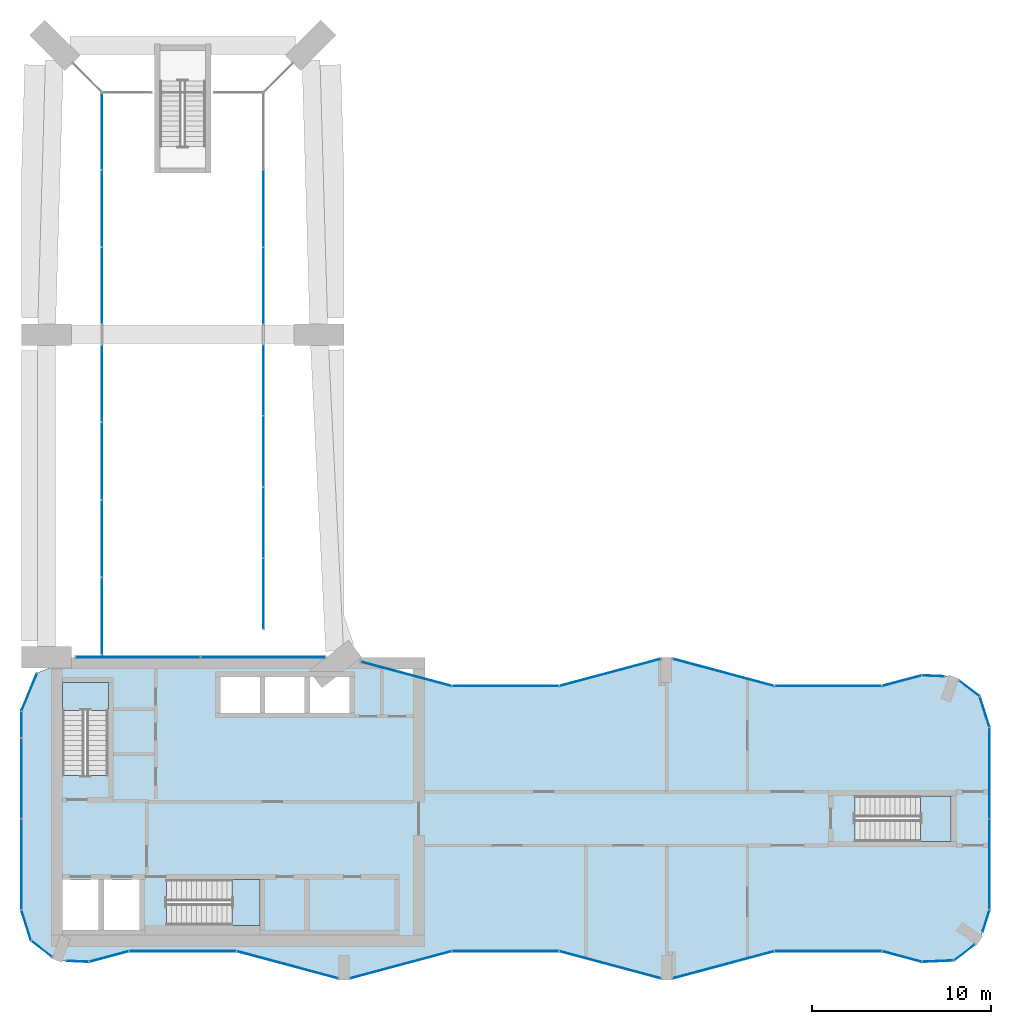
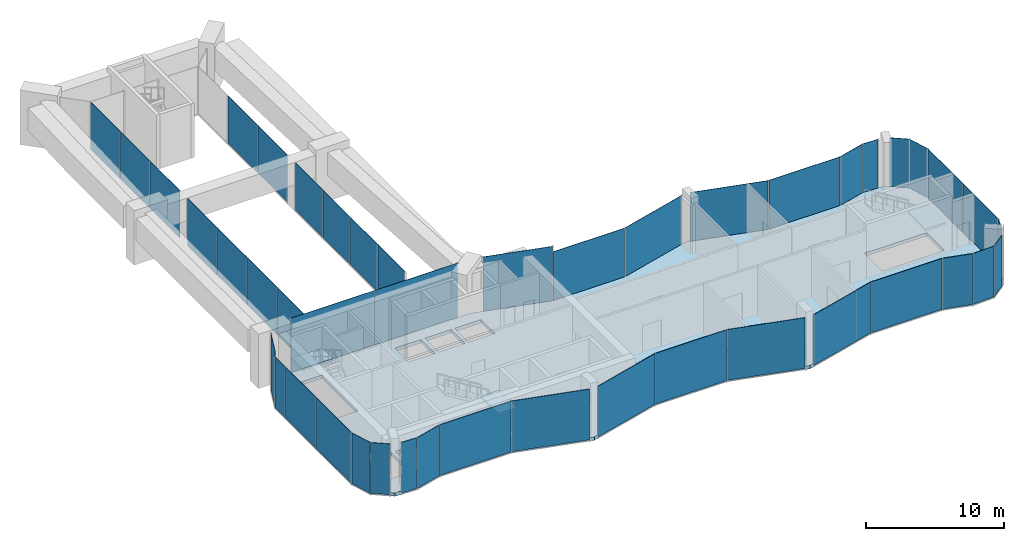
# One storey, part 8 of 13: 45 plates, 4 slabs, 35 elements without a shape of their own.
"""IFC4 building model written with IfcOpenShell, lengths in metres."""

from ifc_helpers import new_model, si_unit, direction, frame, origin, origin_2d, place, context, subcontext, project, spatial, polyline, rectangle, outline, extrude, material, layer, layer_set, type_object, element, aggregate, save


model = new_model("IFC4")

# Units and contexts
model_context = context("Model", 3, precision=1e-05, world=origin(), true_north=direction((0.0, 1.0)))
body_context = subcontext(model_context, "Body", "Model", "MODEL_VIEW")
ifc_project = project(units=[si_unit("LENGTHUNIT", "METRE"), si_unit("AREAUNIT", "SQUARE_METRE"), si_unit("VOLUMEUNIT", "CUBIC_METRE"), si_unit("PLANEANGLEUNIT", "RADIAN"), si_unit("MASSUNIT", "GRAM", prefix="KILO")], contexts=[model_context])

# Site, building, storey
site_placement = place(None, origin())
site = spatial("IfcSite", under=ifc_project, at=site_placement, CompositionType="ELEMENT")
building_placement = place(site_placement, origin())
building = spatial("IfcBuilding", under=site, at=building_placement, Name="Plateau Cross Towers", CompositionType="ELEMENT")
storey_placement = place(building_placement, frame((0.0, 0.0, 134.60009765625)))
storey = spatial("IfcBuildingStorey", under=building, at=storey_placement, Name="L34", CompositionType="ELEMENT", Elevation=134.60009765625)

# Curtain wall, plate
ifc_material_1 = material(Name="Dark low-iron glass", Category="glass")
ifc_layer_1 = layer(ifc_material_1, 0.239990234375)
ifc_layer_set_1 = layer_set([ifc_layer_1], Name="Dark low-iron glass")
curtain_wall_type_1 = type_object("IfcCurtainWallType", Name="Curtain wall flush unitised CW-B", PredefinedType="NOTDEFINED", material=ifc_layer_set_1)
curtain_wall_1_placement = place(storey_placement, origin())
curtain_wall_1 = element("IfcCurtainWall", 1, at=curtain_wall_1_placement, inside=storey, type_object=curtain_wall_type_1, Name="ENV/A/L34/A502_10", PredefinedType="NOTDEFINED")
ifc_layer_2 = layer(ifc_material_1, 0.031982421875)
ifc_layer_set_2 = layer_set([ifc_layer_2], Name="Dark low-iron glass")
plate_type_1 = type_object("IfcPlateType", Name="Glass panel 32 flush unitised", PredefinedType="CURTAIN_PANEL", material=ifc_layer_set_2)
plate_1_placement = place(storey_placement, frame((51.125, 1.05078125, -0.18017578125), z_axis=(0.0, 0.0, 1.0), x_axis=(0.999043701491, 0.043722791671, 0.0)))
plate_1 = element("IfcPlate", 2, at=plate_1_placement, type_object=plate_type_1, Name="CW-B panel 1", PredefinedType="CURTAIN_PANEL", context=body_context, shape_type="SweptSolid", body=[
    extrude(rectangle(XDim=1.744140625, YDim=0.031982421875, at=origin_2d()), origin(), (0.0, 0.0, 1.0), 4.47998046875),
])
aggregate(curtain_wall_1, [plate_1])

curtain_wall_2_placement = place(storey_placement, origin())
curtain_wall_2 = element("IfcCurtainWall", 3, at=curtain_wall_2_placement, inside=storey, type_object=curtain_wall_type_1, Name="ENV/A/L34/A520_11", PredefinedType="NOTDEFINED")
plate_2_placement = place(storey_placement, frame((52.60986328125, 1.5380859375, -0.18017578125), z_axis=(0.0, 0.0, 1.0), x_axis=(0.793315514529, 0.608810721331, 0.0)))
plate_2 = element("IfcPlate", 4, at=plate_2_placement, type_object=plate_type_1, Name="CW-B panel 1", PredefinedType="CURTAIN_PANEL", context=body_context, shape_type="SweptSolid", body=[
    extrude(rectangle(XDim=1.41162109375, YDim=0.031982421875, at=origin_2d()), origin(), (0.0, 0.0, 1.0), 4.47998046875),
])
aggregate(curtain_wall_2, [plate_2])

curtain_wall_3_placement = place(storey_placement, origin())
curtain_wall_3 = element("IfcCurtainWall", 5, at=curtain_wall_3_placement, inside=storey, type_object=curtain_wall_type_1, Name="ENV/A/L34/A536_27", PredefinedType="NOTDEFINED")
plate_3_placement = place(storey_placement, frame((53.805419921875, 3.292236328125, -0.18017578125), z_axis=(0.0, 0.0, 1.0), x_axis=(0.300686174994, 0.95372313811, 0.0)))
plate_3 = element("IfcPlate", 6, at=plate_3_placement, type_object=plate_type_1, Name="CW-B panel 1", PredefinedType="CURTAIN_PANEL", context=body_context, shape_type="SweptSolid", body=[
    extrude(rectangle(XDim=1.233642578125, YDim=0.031982421875, at=origin_2d()), origin(), (0.0, 0.0, 1.0), 4.47998046875),
])
aggregate(curtain_wall_3, [plate_3])

# Curtain wall, plates
curtain_wall_4_placement = place(storey_placement, origin())
curtain_wall_4 = element("IfcCurtainWall", 7, at=curtain_wall_4_placement, inside=storey, type_object=curtain_wall_type_1, Name="ENV/A/L34/A540_39", PredefinedType="NOTDEFINED")
plate_4_placement = place(storey_placement, frame((54.0, 6.45458984375, -0.18017578125), z_axis=(0.0, 0.0, 1.0), x_axis=(0.0, 1.0, 0.0)))
plate_4 = element("IfcPlate", 8, at=plate_4_placement, type_object=plate_type_1, Name="CW-B panel 1", PredefinedType="CURTAIN_PANEL", context=body_context, shape_type="SweptSolid", body=[
    extrude(rectangle(XDim=5.03076171875, YDim=0.031982421875, at=origin_2d()), origin(), (0.0, 0.0, 1.0), 4.47998046875),
])
plate_5_placement = place(storey_placement, frame((54.0, 11.54541015625, -0.18017578125), z_axis=(0.0, 0.0, 1.0), x_axis=(0.0, 1.0, 0.0)))
plate_5 = element("IfcPlate", 9, at=plate_5_placement, type_object=plate_type_1, Name="CW-B panel 2", PredefinedType="CURTAIN_PANEL", context=body_context, shape_type="SweptSolid", body=[
    extrude(rectangle(XDim=5.03076171875, YDim=0.031982421875, at=origin_2d()), origin(), (0.0, 0.0, 1.0), 4.47998046875),
])
aggregate(curtain_wall_4, [plate_4, plate_5])

# Curtain wall, plate
curtain_wall_5_placement = place(storey_placement, origin())
curtain_wall_5 = element("IfcCurtainWall", 10, at=curtain_wall_5_placement, inside=storey, type_object=curtain_wall_type_1, Name="ENV/A/L34/A540_141", PredefinedType="NOTDEFINED")
plate_6_placement = place(storey_placement, frame((53.728759765625, 14.951171875, -0.18017578125), z_axis=(0.0, 0.0, 1.0), x_axis=(-0.300686174994, 0.95372313811, 0.0)))
plate_6 = element("IfcPlate", 11, at=plate_6_placement, type_object=plate_type_1, Name="CW-B panel 1", PredefinedType="CURTAIN_PANEL", context=body_context, shape_type="SweptSolid", body=[
    extrude(rectangle(XDim=1.744140625, YDim=0.031982421875, at=origin_2d()), origin(), (0.0, 0.0, 1.0), 4.47998046875),
])
aggregate(curtain_wall_5, [plate_6])

curtain_wall_6_placement = place(storey_placement, origin())
curtain_wall_6 = element("IfcCurtainWall", 12, at=curtain_wall_6_placement, inside=storey, type_object=curtain_wall_type_1, Name="ENV/A/L34/A535_158", PredefinedType="NOTDEFINED")
plate_7_placement = place(storey_placement, frame((52.873779296875, 16.25927734375, -0.18017578125), z_axis=(0.0, 0.0, 1.0), x_axis=(-0.793315514529, 0.608810721331, 0.0)))
plate_7 = element("IfcPlate", 13, at=plate_7_placement, type_object=plate_type_1, Name="CW-B panel 1", PredefinedType="CURTAIN_PANEL", context=body_context, shape_type="SweptSolid", body=[
    extrude(rectangle(XDim=1.41162109375, YDim=0.031982421875, at=origin_2d()), origin(), (0.0, 0.0, 1.0), 4.47998046875),
])
aggregate(curtain_wall_6, [plate_7])

curtain_wall_7_placement = place(storey_placement, origin())
curtain_wall_7 = element("IfcCurtainWall", 14, at=curtain_wall_7_placement, inside=storey, type_object=curtain_wall_type_1, Name="ENV/A/L34/A515_169", PredefinedType="NOTDEFINED")
plate_8_placement = place(storey_placement, frame((50.8701171875, 16.96044921875, -0.18017578125), z_axis=(0.0, 0.0, 1.0), x_axis=(-0.999043701491, 0.043722791671, 0.0)))
plate_8 = element("IfcPlate", 15, at=plate_8_placement, type_object=plate_type_1, Name="CW-B panel 1", PredefinedType="CURTAIN_PANEL", context=body_context, shape_type="SweptSolid", body=[
    extrude(rectangle(XDim=1.233642578125, YDim=0.031982421875, at=origin_2d()), origin(), (0.0, 0.0, 1.0), 4.47998046875),
])
aggregate(curtain_wall_7, [plate_8])

# Curtain wall, plates
curtain_wall_8_placement = place(storey_placement, origin())
curtain_wall_8 = element("IfcCurtainWall", 16, at=curtain_wall_8_placement, inside=storey, type_object=curtain_wall_type_1, Name="ENV/A/L34/A170_180", PredefinedType="NOTDEFINED")
plate_9_placement = place(storey_placement, frame((13.486328125, 18.0, -0.18017578125), z_axis=(0.0, 0.0, 1.0), x_axis=(-1.0, 0.0, 0.0)))
plate_9 = element("IfcPlate", 17, at=plate_9_placement, type_object=plate_type_1, Name="CW-B panel 1", PredefinedType="CURTAIN_PANEL", context=body_context, shape_type="SweptSolid", body=[
    extrude(rectangle(XDim=6.930908203125, YDim=0.031982421875, at=origin_2d()), origin(), (0.0, 0.0, 1.0), 4.97998046875),
])
plate_10_placement = place(storey_placement, frame((6.495361328125, 18.0, -0.18017578125), z_axis=(0.0, 0.0, 1.0), x_axis=(-1.0, 0.0, 0.0)))
plate_10 = element("IfcPlate", 18, at=plate_10_placement, type_object=plate_type_1, Name="CW-B panel 2", PredefinedType="CURTAIN_PANEL", context=body_context, shape_type="SweptSolid", body=[
    extrude(rectangle(XDim=6.930908203125, YDim=0.031982421875, at=origin_2d()), origin(), (0.0, 0.0, 1.0), 4.97998046875),
])
aggregate(curtain_wall_8, [plate_9, plate_10])

# Curtain wall, plate
curtain_wall_9_placement = place(storey_placement, origin())
curtain_wall_9 = element("IfcCurtainWall", 19, at=curtain_wall_9_placement, inside=storey, type_object=curtain_wall_type_1, Name="ENV/A/L34/A9_171", PredefinedType="NOTDEFINED")
plate_11_placement = place(storey_placement, frame((0.439453125, 16.060546875, -0.18017578125), z_axis=(0.0, 0.0, 1.0), x_axis=(-0.382683612978, -0.923879457699, 0.0)))
plate_11 = element("IfcPlate", 20, at=plate_11_placement, type_object=plate_type_1, Name="CW-B panel 1", PredefinedType="CURTAIN_PANEL", context=body_context, shape_type="SweptSolid", body=[
    extrude(rectangle(XDim=2.236083984375, YDim=0.031982421875, at=origin_2d()), origin(), (0.0, 0.0, 1.0), 4.97998046875),
])
aggregate(curtain_wall_9, [plate_11])

# Curtain wall, plates
curtain_wall_10_placement = place(storey_placement, origin())
curtain_wall_10 = element("IfcCurtainWall", 21, at=curtain_wall_10_placement, inside=storey, type_object=curtain_wall_type_1, Name="ENV/A/L34/A0_150", PredefinedType="NOTDEFINED")
plate_12_placement = place(storey_placement, frame((0.0, 14.25, -0.18017578125), z_axis=(0.0, 0.0, 1.0), x_axis=(0.0, -1.0, 0.0)))
plate_12 = element("IfcPlate", 22, at=plate_12_placement, type_object=plate_type_1, Name="CW-B panel 1", PredefinedType="CURTAIN_PANEL", context=body_context, shape_type="SweptSolid", body=[
    extrude(rectangle(XDim=1.43994140625, YDim=0.031982421875, at=origin_2d()), origin(), (0.0, 0.0, 1.0), 4.47998046875),
])
plate_13_placement = place(storey_placement, frame((0.0, 11.25, -0.18017578125), z_axis=(0.0, 0.0, 1.0), x_axis=(0.0, -1.0, 0.0)))
plate_13 = element("IfcPlate", 23, at=plate_13_placement, type_object=plate_type_1, Name="CW-B panel 2", PredefinedType="CURTAIN_PANEL", context=body_context, shape_type="SweptSolid", body=[
    extrude(rectangle(XDim=4.43994140625, YDim=0.031982421875, at=origin_2d()), origin(), (0.0, 0.0, 1.0), 4.47998046875),
])
plate_14_placement = place(storey_placement, frame((0.0, 6.45458984375, -0.18017578125), z_axis=(0.0, 0.0, 1.0), x_axis=(0.0, -1.0, 0.0)))
plate_14 = element("IfcPlate", 24, at=plate_14_placement, type_object=plate_type_1, Name="CW-B panel 3", PredefinedType="CURTAIN_PANEL", context=body_context, shape_type="SweptSolid", body=[
    extrude(rectangle(XDim=5.03076171875, YDim=0.031982421875, at=origin_2d()), origin(), (0.0, 0.0, 1.0), 4.47998046875),
])
aggregate(curtain_wall_10, [plate_12, plate_13, plate_14])

# Curtain wall, plate
curtain_wall_11_placement = place(storey_placement, origin())
curtain_wall_11 = element("IfcCurtainWall", 25, at=curtain_wall_11_placement, inside=storey, type_object=curtain_wall_type_1, Name="ENV/A/L34/A0_39", PredefinedType="NOTDEFINED")
plate_15_placement = place(storey_placement, frame((0.271240234375, 3.048828125, -0.18017578125), z_axis=(0.0, 0.0, 1.0), x_axis=(0.300686174994, -0.95372313811, 0.0)))
plate_15 = element("IfcPlate", 26, at=plate_15_placement, type_object=plate_type_1, Name="CW-B panel 1", PredefinedType="CURTAIN_PANEL", context=body_context, shape_type="SweptSolid", body=[
    extrude(rectangle(XDim=1.744140625, YDim=0.031982421875, at=origin_2d()), origin(), (0.0, 0.0, 1.0), 4.47998046875),
])
aggregate(curtain_wall_11, [plate_15])

curtain_wall_12_placement = place(storey_placement, origin())
curtain_wall_12 = element("IfcCurtainWall", 27, at=curtain_wall_12_placement, inside=storey, type_object=curtain_wall_type_1, Name="ENV/A/L34/A5_22", PredefinedType="NOTDEFINED")
plate_16_placement = place(storey_placement, frame((1.126220703125, 1.74072265625, -0.18017578125), z_axis=(0.0, 0.0, 1.0), x_axis=(0.793315514529, -0.608810721331, 0.0)))
plate_16 = element("IfcPlate", 28, at=plate_16_placement, type_object=plate_type_1, Name="CW-B panel 1", PredefinedType="CURTAIN_PANEL", context=body_context, shape_type="SweptSolid", body=[
    extrude(rectangle(XDim=1.41162109375, YDim=0.031982421875, at=origin_2d()), origin(), (0.0, 0.0, 1.0), 4.47998046875),
])
aggregate(curtain_wall_12, [plate_16])

curtain_wall_13_placement = place(storey_placement, origin())
curtain_wall_13 = element("IfcCurtainWall", 29, at=curtain_wall_13_placement, inside=storey, type_object=curtain_wall_type_1, Name="ENV/A/L34/A25_11", PredefinedType="NOTDEFINED")
plate_17_placement = place(storey_placement, frame((3.1298828125, 1.03955078125, -0.18017578125), z_axis=(0.0, 0.0, 1.0), x_axis=(0.999043701491, -0.043722791671, 0.0)))
plate_17 = element("IfcPlate", 30, at=plate_17_placement, type_object=plate_type_1, Name="CW-B panel 1", PredefinedType="CURTAIN_PANEL", context=body_context, shape_type="SweptSolid", body=[
    extrude(rectangle(XDim=1.233642578125, YDim=0.031982421875, at=origin_2d()), origin(), (0.0, 0.0, 1.0), 4.47998046875),
])
aggregate(curtain_wall_13, [plate_17])

# Curtain wall, plates
curtain_wall_14_placement = place(storey_placement, origin())
curtain_wall_14 = element("IfcCurtainWall", 31, at=curtain_wall_14_placement, inside=storey, type_object=curtain_wall_type_1, Name="ENV/A/L34/sky135_495_135_366", PredefinedType="NOTDEFINED")
plate_18_placement = place(storey_placement, frame((13.5, 43.030029296875, 0.1201171875), z_axis=(0.0, 0.0, 1.0), x_axis=(0.0, -1.0, 0.0)))
plate_18 = element("IfcPlate", 32, at=plate_18_placement, type_object=plate_type_1, Name="CW-B panel 2", PredefinedType="CURTAIN_PANEL", context=body_context, shape_type="SweptSolid", body=[
    extrude(rectangle(XDim=4.25341796875, YDim=0.031982421875, at=origin_2d()), origin(), (0.0, 0.0, 1.0), 4.179931640625),
])
plate_19_placement = place(storey_placement, frame((13.5, 38.716552734375, 0.1201171875), z_axis=(0.0, 0.0, 1.0), x_axis=(0.0, -1.0, 0.0)))
plate_19 = element("IfcPlate", 33, at=plate_19_placement, type_object=plate_type_1, Name="CW-B panel 3", PredefinedType="CURTAIN_PANEL", context=body_context, shape_type="SweptSolid", body=[
    extrude(rectangle(XDim=4.25341796875, YDim=0.031982421875, at=origin_2d()), origin(), (0.0, 0.0, 1.0), 4.179931640625),
])
aggregate(curtain_wall_14, [plate_18, plate_19])

curtain_wall_15_placement = place(storey_placement, origin())
curtain_wall_15 = element("IfcCurtainWall", 34, at=curtain_wall_15_placement, inside=storey, type_object=curtain_wall_type_1, Name="ENV/A/L34/sky135_354_135_196", PredefinedType="NOTDEFINED")
plate_20_placement = place(storey_placement, frame((13.5, 33.454833984375, 0.1201171875), z_axis=(0.0, 0.0, 1.0), x_axis=(0.0, -1.0, 0.0)))
plate_20 = element("IfcPlate", 35, at=plate_20_placement, type_object=plate_type_1, Name="CW-B panel 1", PredefinedType="CURTAIN_PANEL", context=body_context, shape_type="SweptSolid", body=[
    extrude(rectangle(XDim=3.91015625, YDim=0.031982421875, at=origin_2d()), origin(), (0.0, 0.0, 1.0), 4.179931640625),
])
plate_21_placement = place(storey_placement, frame((13.5, 29.484619140625, 0.1201171875), z_axis=(0.0, 0.0, 1.0), x_axis=(0.0, -1.0, 0.0)))
plate_21 = element("IfcPlate", 36, at=plate_21_placement, type_object=plate_type_1, Name="CW-B panel 2", PredefinedType="CURTAIN_PANEL", context=body_context, shape_type="SweptSolid", body=[
    extrude(rectangle(XDim=3.91015625, YDim=0.031982421875, at=origin_2d()), origin(), (0.0, 0.0, 1.0), 4.179931640625),
])
plate_22_placement = place(storey_placement, frame((13.5, 25.5146484375, 0.1201171875), z_axis=(0.0, 0.0, 1.0), x_axis=(0.0, -1.0, 0.0)))
plate_22 = element("IfcPlate", 37, at=plate_22_placement, type_object=plate_type_1, Name="CW-B panel 3", PredefinedType="CURTAIN_PANEL", context=body_context, shape_type="SweptSolid", body=[
    extrude(rectangle(XDim=3.91015625, YDim=0.031982421875, at=origin_2d()), origin(), (0.0, 0.0, 1.0), 4.179931640625),
])
plate_23_placement = place(storey_placement, frame((13.5, 21.54443359375, 0.1201171875), z_axis=(0.0, 0.0, 1.0), x_axis=(0.0, -1.0, 0.0)))
plate_23 = element("IfcPlate", 38, at=plate_23_placement, type_object=plate_type_1, Name="CW-B panel 4", PredefinedType="CURTAIN_PANEL", context=body_context, shape_type="SweptSolid", body=[
    extrude(rectangle(XDim=3.91015625, YDim=0.031982421875, at=origin_2d()), origin(), (0.0, 0.0, 1.0), 4.179931640625),
])
aggregate(curtain_wall_15, [plate_20, plate_21, plate_22, plate_23])

curtain_wall_16_placement = place(storey_placement, origin())
curtain_wall_16 = element("IfcCurtainWall", 39, at=curtain_wall_16_placement, inside=storey, type_object=curtain_wall_type_1, Name="ENV/A/L34/sky45_182_45_354", PredefinedType="NOTDEFINED")
plate_24_placement = place(storey_placement, frame((4.5, 20.311279296875, 0.1201171875), z_axis=(0.0, 0.0, 1.0), x_axis=(0.0, 1.0, 0.0)))
plate_24 = element("IfcPlate", 40, at=plate_24_placement, type_object=plate_type_1, Name="CW-B panel 1", PredefinedType="CURTAIN_PANEL", context=body_context, shape_type="SweptSolid", body=[
    extrude(rectangle(XDim=4.262451171875, YDim=0.031982421875, at=origin_2d()), origin(), (0.0, 0.0, 1.0), 4.179931640625),
])
plate_25_placement = place(storey_placement, frame((4.5, 24.6337890625, 0.1201171875), z_axis=(0.0, 0.0, 1.0), x_axis=(0.0, 1.0, 0.0)))
plate_25 = element("IfcPlate", 41, at=plate_25_placement, type_object=plate_type_1, Name="CW-B panel 2", PredefinedType="CURTAIN_PANEL", context=body_context, shape_type="SweptSolid", body=[
    extrude(rectangle(XDim=4.262451171875, YDim=0.031982421875, at=origin_2d()), origin(), (0.0, 0.0, 1.0), 4.179931640625),
])
plate_26_placement = place(storey_placement, frame((4.5, 28.956298828125, 0.1201171875), z_axis=(0.0, 0.0, 1.0), x_axis=(0.0, 1.0, 0.0)))
plate_26 = element("IfcPlate", 42, at=plate_26_placement, type_object=plate_type_1, Name="CW-B panel 3", PredefinedType="CURTAIN_PANEL", context=body_context, shape_type="SweptSolid", body=[
    extrude(rectangle(XDim=4.262451171875, YDim=0.031982421875, at=origin_2d()), origin(), (0.0, 0.0, 1.0), 4.179931640625),
])
plate_27_placement = place(storey_placement, frame((4.5, 33.27880859375, 0.1201171875), z_axis=(0.0, 0.0, 1.0), x_axis=(0.0, 1.0, 0.0)))
plate_27 = element("IfcPlate", 43, at=plate_27_placement, type_object=plate_type_1, Name="CW-B panel 4", PredefinedType="CURTAIN_PANEL", context=body_context, shape_type="SweptSolid", body=[
    extrude(rectangle(XDim=4.262451171875, YDim=0.031982421875, at=origin_2d()), origin(), (0.0, 0.0, 1.0), 4.179931640625),
])
aggregate(curtain_wall_16, [plate_24, plate_25, plate_26, plate_27])

curtain_wall_17_placement = place(storey_placement, origin())
curtain_wall_17 = element("IfcCurtainWall", 44, at=curtain_wall_17_placement, inside=storey, type_object=curtain_wall_type_1, Name="ENV/A/L34/sky45_366_45_495", PredefinedType="NOTDEFINED")
plate_28_placement = place(storey_placement, frame((4.5, 38.716552734375, 0.1201171875), z_axis=(0.0, 0.0, 1.0), x_axis=(0.0, 1.0, 0.0)))
plate_28 = element("IfcPlate", 45, at=plate_28_placement, type_object=plate_type_1, Name="CW-B panel 1", PredefinedType="CURTAIN_PANEL", context=body_context, shape_type="SweptSolid", body=[
    extrude(rectangle(XDim=4.25341796875, YDim=0.031982421875, at=origin_2d()), origin(), (0.0, 0.0, 1.0), 4.179931640625),
])
plate_29_placement = place(storey_placement, frame((4.5, 43.030029296875, 0.1201171875), z_axis=(0.0, 0.0, 1.0), x_axis=(0.0, 1.0, 0.0)))
plate_29 = element("IfcPlate", 46, at=plate_29_placement, type_object=plate_type_1, Name="CW-B panel 2", PredefinedType="CURTAIN_PANEL", context=body_context, shape_type="SweptSolid", body=[
    extrude(rectangle(XDim=4.25341796875, YDim=0.031982421875, at=origin_2d()), origin(), (0.0, 0.0, 1.0), 4.179931640625),
])
plate_30_placement = place(storey_placement, frame((4.5, 47.34326171875, 0.1201171875), z_axis=(0.0, 0.0, 1.0), x_axis=(0.0, 1.0, 0.0)))
plate_30 = element("IfcPlate", 47, at=plate_30_placement, type_object=plate_type_1, Name="CW-B panel 3", PredefinedType="CURTAIN_PANEL", context=body_context, shape_type="SweptSolid", body=[
    extrude(rectangle(XDim=4.25341796875, YDim=0.031982421875, at=origin_2d()), origin(), (0.0, 0.0, 1.0), 4.179931640625),
])
aggregate(curtain_wall_17, [plate_28, plate_29, plate_30])

# Curtain wall, plate
ifc_layer_3 = layer(ifc_material_1, 0.260009765625)
ifc_layer_set_3 = layer_set([ifc_layer_3], Name="Dark low-iron glass")
curtain_wall_type_2 = type_object("IfcCurtainWallType", Name="Curtain wall fluted unitised CW-A", PredefinedType="NOTDEFINED", material=ifc_layer_set_3)
curtain_wall_18_placement = place(storey_placement, origin())
curtain_wall_18 = element("IfcCurtainWall", 48, at=curtain_wall_18_placement, inside=storey, type_object=curtain_wall_type_2, Name="ENV/A/L34/A38_10", PredefinedType="NOTDEFINED")
ifc_layer_4 = layer(ifc_material_1, 0.035888671875)
ifc_layer_set_4 = layer_set([ifc_layer_4], Name="Dark low-iron glass")
plate_type_2 = type_object("IfcPlateType", Name="Glass panel 36 fluted unitised", PredefinedType="CURTAIN_PANEL", material=ifc_layer_set_4)
plate_31_placement = place(storey_placement, frame((4.887939453125, 1.30908203125, -0.18017578125), z_axis=(0.0, 0.0, 1.0), x_axis=(0.965957962328, 0.258699081978, 0.0)))
plate_31 = element("IfcPlate", 49, at=plate_31_placement, type_object=plate_type_2, Name="CW-A panel 1", PredefinedType="CURTAIN_PANEL", context=body_context, shape_type="SweptSolid", body=[
    extrude(rectangle(XDim=2.2421875, YDim=0.035888671875, at=origin_2d()), origin(), (0.0, 0.0, 1.0), 4.47998046875),
])
aggregate(curtain_wall_18, [plate_31])

curtain_wall_19_placement = place(storey_placement, origin())
curtain_wall_19 = element("IfcCurtainWall", 50, at=curtain_wall_19_placement, inside=storey, type_object=curtain_wall_type_2, Name="ENV/A/L34/A60_16", PredefinedType="NOTDEFINED")
plate_32_placement = place(storey_placement, frame((9.0, 1.60693359375, -0.18017578125), z_axis=(0.0, 0.0, 1.0), x_axis=(1.0, 0.0, 0.0)))
plate_32 = element("IfcPlate", 51, at=plate_32_placement, type_object=plate_type_2, Name="CW-A panel 1", PredefinedType="CURTAIN_PANEL", context=body_context, shape_type="SweptSolid", body=[
    extrude(rectangle(XDim=5.93994140625, YDim=0.035888671875, at=origin_2d()), origin(), (0.0, 0.0, 1.0), 4.47998046875),
])
aggregate(curtain_wall_19, [plate_32])

curtain_wall_20_placement = place(storey_placement, origin())
curtain_wall_20 = element("IfcCurtainWall", 52, at=curtain_wall_20_placement, inside=storey, type_object=curtain_wall_type_2, Name="ENV/A/L34/A120_16", PredefinedType="NOTDEFINED")
plate_33_placement = place(storey_placement, frame((14.841064453125, 0.845947265625, -0.18017578125), z_axis=(0.0, 0.0, 1.0), x_axis=(0.965957983404, -0.258699003279, 0.0)))
plate_33 = element("IfcPlate", 53, at=plate_33_placement, type_object=plate_type_2, Name="CW-A panel 1", PredefinedType="CURTAIN_PANEL", context=body_context, shape_type="SweptSolid", body=[
    extrude(rectangle(XDim=5.822265625, YDim=0.035888671875, at=origin_2d()), origin(), (0.0, 0.0, 1.0), 4.47998046875),
])
aggregate(curtain_wall_20, [plate_33])

curtain_wall_21_placement = place(storey_placement, origin())
curtain_wall_21 = element("IfcCurtainWall", 54, at=curtain_wall_21_placement, inside=storey, type_object=curtain_wall_type_2, Name="ENV/A/L34/A183_1", PredefinedType="NOTDEFINED")
plate_34_placement = place(storey_placement, frame((21.158935546875, 0.845947265625, -0.18017578125), z_axis=(0.0, 0.0, 1.0), x_axis=(0.965957983404, 0.258699003279, 0.0)))
plate_34 = element("IfcPlate", 55, at=plate_34_placement, type_object=plate_type_2, Name="CW-A panel 1", PredefinedType="CURTAIN_PANEL", context=body_context, shape_type="SweptSolid", body=[
    extrude(rectangle(XDim=5.822265625, YDim=0.035888671875, at=origin_2d()), origin(), (0.0, 0.0, 1.0), 4.47998046875),
])
aggregate(curtain_wall_21, [plate_34])

curtain_wall_22_placement = place(storey_placement, origin())
curtain_wall_22 = element("IfcCurtainWall", 56, at=curtain_wall_22_placement, inside=storey, type_object=curtain_wall_type_2, Name="ENV/A/L34/A240_16", PredefinedType="NOTDEFINED")
plate_35_placement = place(storey_placement, frame((27.0, 1.60693359375, -0.18017578125), z_axis=(0.0, 0.0, 1.0), x_axis=(1.0, 0.0, 0.0)))
plate_35 = element("IfcPlate", 57, at=plate_35_placement, type_object=plate_type_2, Name="CW-A panel 1", PredefinedType="CURTAIN_PANEL", context=body_context, shape_type="SweptSolid", body=[
    extrude(rectangle(XDim=5.93994140625, YDim=0.035888671875, at=origin_2d()), origin(), (0.0, 0.0, 1.0), 4.47998046875),
])
aggregate(curtain_wall_22, [plate_35])

curtain_wall_23_placement = place(storey_placement, origin())
curtain_wall_23 = element("IfcCurtainWall", 58, at=curtain_wall_23_placement, inside=storey, type_object=curtain_wall_type_2, Name="ENV/A/L34/A300_16", PredefinedType="NOTDEFINED")
plate_36_placement = place(storey_placement, frame((32.841064453125, 0.845947265625, -0.18017578125), z_axis=(0.0, 0.0, 1.0), x_axis=(0.965957983404, -0.258699003279, 0.0)))
plate_36 = element("IfcPlate", 59, at=plate_36_placement, type_object=plate_type_2, Name="CW-A panel 1", PredefinedType="CURTAIN_PANEL", context=body_context, shape_type="SweptSolid", body=[
    extrude(rectangle(XDim=5.822265625, YDim=0.035888671875, at=origin_2d()), origin(), (0.0, 0.0, 1.0), 4.47998046875),
])
aggregate(curtain_wall_23, [plate_36])

curtain_wall_24_placement = place(storey_placement, origin())
curtain_wall_24 = element("IfcCurtainWall", 60, at=curtain_wall_24_placement, inside=storey, type_object=curtain_wall_type_2, Name="ENV/A/L34/A363_1", PredefinedType="NOTDEFINED")
plate_37_placement = place(storey_placement, frame((39.158935546875, 0.845947265625, -0.18017578125), z_axis=(0.0, 0.0, 1.0), x_axis=(0.965957983404, 0.258699003279, 0.0)))
plate_37 = element("IfcPlate", 61, at=plate_37_placement, type_object=plate_type_2, Name="CW-A panel 1", PredefinedType="CURTAIN_PANEL", context=body_context, shape_type="SweptSolid", body=[
    extrude(rectangle(XDim=5.822265625, YDim=0.035888671875, at=origin_2d()), origin(), (0.0, 0.0, 1.0), 4.47998046875),
])
aggregate(curtain_wall_24, [plate_37])

curtain_wall_25_placement = place(storey_placement, origin())
curtain_wall_25 = element("IfcCurtainWall", 62, at=curtain_wall_25_placement, inside=storey, type_object=curtain_wall_type_2, Name="ENV/A/L34/A420_16", PredefinedType="NOTDEFINED")
plate_38_placement = place(storey_placement, frame((45.0, 1.60693359375, -0.18017578125), z_axis=(0.0, 0.0, 1.0), x_axis=(1.0, 0.0, 0.0)))
plate_38 = element("IfcPlate", 63, at=plate_38_placement, type_object=plate_type_2, Name="CW-A panel 1", PredefinedType="CURTAIN_PANEL", context=body_context, shape_type="SweptSolid", body=[
    extrude(rectangle(XDim=5.93994140625, YDim=0.035888671875, at=origin_2d()), origin(), (0.0, 0.0, 1.0), 4.47998046875),
])
aggregate(curtain_wall_25, [plate_38])

curtain_wall_26_placement = place(storey_placement, origin())
curtain_wall_26 = element("IfcCurtainWall", 64, at=curtain_wall_26_placement, inside=storey, type_object=curtain_wall_type_2, Name="ENV/A/L34/A480_16", PredefinedType="NOTDEFINED")
plate_39_placement = place(storey_placement, frame((49.112060546875, 1.30908203125, -0.18017578125), z_axis=(0.0, 0.0, 1.0), x_axis=(0.965957962328, -0.258699081978, 0.0)))
plate_39 = element("IfcPlate", 65, at=plate_39_placement, type_object=plate_type_2, Name="CW-A panel 1", PredefinedType="CURTAIN_PANEL", context=body_context, shape_type="SweptSolid", body=[
    extrude(rectangle(XDim=2.2421875, YDim=0.035888671875, at=origin_2d()), origin(), (0.0, 0.0, 1.0), 4.47998046875),
])
aggregate(curtain_wall_26, [plate_39])

curtain_wall_27_placement = place(storey_placement, origin())
curtain_wall_27 = element("IfcCurtainWall", 66, at=curtain_wall_27_placement, inside=storey, type_object=curtain_wall_type_2, Name="ENV/A/L34/A502_170", PredefinedType="NOTDEFINED")
plate_40_placement = place(storey_placement, frame((49.112060546875, 16.69091796875, -0.18017578125), z_axis=(0.0, 0.0, 1.0), x_axis=(-0.965957962328, -0.258699081978, 0.0)))
plate_40 = element("IfcPlate", 67, at=plate_40_placement, type_object=plate_type_2, Name="CW-A panel 1", PredefinedType="CURTAIN_PANEL", context=body_context, shape_type="SweptSolid", body=[
    extrude(rectangle(XDim=2.2421875, YDim=0.035888671875, at=origin_2d()), origin(), (0.0, 0.0, 1.0), 4.47998046875),
])
aggregate(curtain_wall_27, [plate_40])

curtain_wall_28_placement = place(storey_placement, origin())
curtain_wall_28 = element("IfcCurtainWall", 68, at=curtain_wall_28_placement, inside=storey, type_object=curtain_wall_type_2, Name="ENV/A/L34/A480_164", PredefinedType="NOTDEFINED")
plate_41_placement = place(storey_placement, frame((45.0, 16.39306640625, -0.18017578125), z_axis=(0.0, 0.0, 1.0), x_axis=(-1.0, 0.0, 0.0)))
plate_41 = element("IfcPlate", 69, at=plate_41_placement, type_object=plate_type_2, Name="CW-A panel 1", PredefinedType="CURTAIN_PANEL", context=body_context, shape_type="SweptSolid", body=[
    extrude(rectangle(XDim=5.93994140625, YDim=0.035888671875, at=origin_2d()), origin(), (0.0, 0.0, 1.0), 4.47998046875),
])
aggregate(curtain_wall_28, [plate_41])

curtain_wall_29_placement = place(storey_placement, origin())
curtain_wall_29 = element("IfcCurtainWall", 70, at=curtain_wall_29_placement, inside=storey, type_object=curtain_wall_type_2, Name="ENV/A/L34/A420_164", PredefinedType="NOTDEFINED")
plate_42_placement = place(storey_placement, frame((39.158935546875, 17.154052734375, -0.18017578125), z_axis=(0.0, 0.0, 1.0), x_axis=(-0.965957983404, 0.258699003279, 0.0)))
plate_42 = element("IfcPlate", 71, at=plate_42_placement, type_object=plate_type_2, Name="CW-A panel 1", PredefinedType="CURTAIN_PANEL", context=body_context, shape_type="SweptSolid", body=[
    extrude(rectangle(XDim=5.822265625, YDim=0.035888671875, at=origin_2d()), origin(), (0.0, 0.0, 1.0), 4.47998046875),
])
aggregate(curtain_wall_29, [plate_42])

curtain_wall_30_placement = place(storey_placement, origin())
curtain_wall_30 = element("IfcCurtainWall", 72, at=curtain_wall_30_placement, inside=storey, type_object=curtain_wall_type_2, Name="ENV/A/L34/A357_179", PredefinedType="NOTDEFINED")
plate_43_placement = place(storey_placement, frame((32.841064453125, 17.154052734375, -0.18017578125), z_axis=(0.0, 0.0, 1.0), x_axis=(-0.965957983404, -0.258699003279, 0.0)))
plate_43 = element("IfcPlate", 73, at=plate_43_placement, type_object=plate_type_2, Name="CW-A panel 1", PredefinedType="CURTAIN_PANEL", context=body_context, shape_type="SweptSolid", body=[
    extrude(rectangle(XDim=5.822265625, YDim=0.035888671875, at=origin_2d()), origin(), (0.0, 0.0, 1.0), 4.47998046875),
])
aggregate(curtain_wall_30, [plate_43])

curtain_wall_31_placement = place(storey_placement, origin())
curtain_wall_31 = element("IfcCurtainWall", 74, at=curtain_wall_31_placement, inside=storey, type_object=curtain_wall_type_2, Name="ENV/A/L34/A300_164", PredefinedType="NOTDEFINED")
plate_44_placement = place(storey_placement, frame((27.0, 16.39306640625, -0.18017578125), z_axis=(0.0, 0.0, 1.0), x_axis=(-1.0, 0.0, 0.0)))
plate_44 = element("IfcPlate", 75, at=plate_44_placement, type_object=plate_type_2, Name="CW-A panel 1", PredefinedType="CURTAIN_PANEL", context=body_context, shape_type="SweptSolid", body=[
    extrude(rectangle(XDim=5.93994140625, YDim=0.035888671875, at=origin_2d()), origin(), (0.0, 0.0, 1.0), 4.47998046875),
])
aggregate(curtain_wall_31, [plate_44])

curtain_wall_32_placement = place(storey_placement, origin())
curtain_wall_32 = element("IfcCurtainWall", 76, at=curtain_wall_32_placement, inside=storey, type_object=curtain_wall_type_2, Name="ENV/A/L34/A240_164", PredefinedType="NOTDEFINED")
plate_45_placement = place(storey_placement, frame((21.461669921875, 17.072998046875, -0.18017578125), z_axis=(0.0, 0.0, 1.0), x_axis=(-0.965957983404, 0.258699003279, 0.0)))
plate_45 = element("IfcPlate", 77, at=plate_45_placement, type_object=plate_type_2, Name="CW-A panel 1", PredefinedType="CURTAIN_PANEL", context=body_context, shape_type="SweptSolid", body=[
    extrude(rectangle(XDim=5.19580078125, YDim=0.035888671875, at=origin_2d()), origin(), (0.0, 0.0, 1.0), 4.97998046875),
])
aggregate(curtain_wall_32, [plate_45])

# Slab
ifc_material_2 = material(Name="Concrete C40/50", Category="concrete")
ifc_layer_5 = layer(ifc_material_2, 0.300048828125)
ifc_layer_set_5 = layer_set([ifc_layer_5], Name="Concrete C40/50")
slab_type_1 = type_object("IfcSlabType", Name="Post-tensioned flat plate slab 300", PredefinedType="FLOOR", material=ifc_layer_set_5)
slab_1_placement = place(storey_placement, frame((0.0, 0.0, -0.300048828125)))
element("IfcSlab", 78, at=slab_1_placement, inside=storey, type_object=slab_type_1, Name="SL-A-L34", PredefinedType="FLOOR", context=body_context, shape_type="SweptSolid", body=[
    extrude(outline(polyline([(1.9736328125, 1.090087890625), (0.54248046875, 2.1884765625), (0.0, 3.9091796875), (0.0, 15.0), (0.878662109375, 17.121337890625), (3.0, 18.0), (18.0, 18.0), (24.0, 16.39306640625), (30.0, 16.39306640625), (36.0, 18.0), (42.0, 16.39306640625), (48.0, 16.39306640625), (50.223876953125, 16.98876953125), (52.0263671875, 16.909912109375), (53.45751953125, 15.8115234375), (54.0, 14.0908203125), (54.0, 3.9091796875), (53.45751953125, 2.1884765625), (52.0263671875, 1.090087890625), (50.223876953125, 1.01123046875), (48.0, 1.60693359375), (42.0, 1.60693359375), (36.0, 0.0), (30.0, 1.60693359375), (24.0, 1.60693359375), (18.0, 0.0), (12.0, 1.60693359375), (6.0, 1.60693359375), (3.776123046875, 1.01123046875), (1.9736328125, 1.090087890625)]), holes=[polyline([(4.300048828125, 5.60009765625), (2.300048828125, 5.60009765625), (2.300048828125, 2.800048828125), (4.300048828125, 2.800048828125), (4.300048828125, 5.60009765625)]), polyline([(6.60009765625, 5.60009765625), (4.60009765625, 5.60009765625), (4.60009765625, 2.800048828125), (6.60009765625, 2.800048828125), (6.60009765625, 5.60009765625)]), polyline([(13.300048828125, 5.60009765625), (8.10009765625, 5.60009765625), (8.10009765625, 3.050048828125), (13.300048828125, 3.050048828125), (13.300048828125, 5.60009765625)]), polyline([(51.699951171875, 10.27490234375), (46.5, 10.27490234375), (46.5, 7.72509765625), (51.699951171875, 7.72509765625), (51.699951171875, 10.27490234375)]), polyline([(2.300048828125, 16.60009765625), (2.300048828125, 11.39990234375), (4.85009765625, 11.39990234375), (4.85009765625, 16.60009765625), (2.300048828125, 16.60009765625)]), polyline([(13.300048828125, 16.89990234375), (11.10009765625, 16.89990234375), (11.10009765625, 14.89990234375), (13.300048828125, 14.89990234375), (13.300048828125, 16.89990234375)]), polyline([(15.800048828125, 16.89990234375), (13.60009765625, 16.89990234375), (13.60009765625, 14.89990234375), (15.800048828125, 14.89990234375), (15.800048828125, 16.89990234375)]), polyline([(18.300048828125, 14.89990234375), (18.300048828125, 16.89990234375), (16.10009765625, 16.89990234375), (16.10009765625, 14.89990234375), (18.300048828125, 14.89990234375)])]), origin(), (0.0, 0.0, 1.0), 0.300048828125),
])

# Stair, slab
stair_type = type_object("IfcStairType", Name="ST-TWR", PredefinedType="HALF_TURN_STAIR", material=ifc_material_2)
stair_1_placement = place(storey_placement, origin())
stair_1 = element("IfcStair", 79, at=stair_1_placement, inside=storey, type_object=stair_type, Name="L34 Protected Exit Stair ST-1", PredefinedType="HALF_TURN_STAIR")
ifc_layer_6 = layer(ifc_material_2, 0.199951171875)
ifc_layer_set_6 = layer_set([ifc_layer_6], Name="Concrete C40/50")
slab_type_2 = type_object("IfcSlabType", Name="SL-LANDING", PredefinedType="LANDING", material=ifc_layer_set_6)
slab_2_placement = place(storey_placement, frame((0.0, 0.0, 2.199951171875)))
slab_2 = element("IfcSlab", 80, at=slab_2_placement, type_object=slab_type_2, Name="ST-1 landing 1", PredefinedType="LANDING", context=body_context, shape_type="SweptSolid", body=[
    extrude(outline(polyline([(4.85009765625, 15.0400390625), (4.85009765625, 16.60009765625), (2.300048828125, 16.60009765625), (2.300048828125, 15.0400390625), (4.85009765625, 15.0400390625)])), origin(), (0.0, 0.0, 1.0), 0.199951171875),
])
aggregate(stair_1, [slab_2])

stair_2_placement = place(storey_placement, origin())
stair_2 = element("IfcStair", 81, at=stair_2_placement, inside=storey, type_object=stair_type, Name="L34 Protected Exit Stair ST-2", PredefinedType="HALF_TURN_STAIR")
slab_3_placement = place(storey_placement, frame((0.0, 0.0, 2.199951171875)))
slab_3 = element("IfcSlab", 82, at=slab_3_placement, type_object=slab_type_2, Name="ST-2 landing 1", PredefinedType="LANDING", context=body_context, shape_type="SweptSolid", body=[
    extrude(outline(polyline([(11.739990234375, 3.050048828125), (13.300048828125, 3.050048828125), (13.300048828125, 5.60009765625), (11.739990234375, 5.60009765625), (11.739990234375, 3.050048828125)])), origin(), (0.0, 0.0, 1.0), 0.199951171875),
])
aggregate(stair_2, [slab_3])

stair_3_placement = place(storey_placement, origin())
stair_3 = element("IfcStair", 83, at=stair_3_placement, inside=storey, type_object=stair_type, Name="L34 Protected Exit Stair E", PredefinedType="HALF_TURN_STAIR")
slab_4_placement = place(storey_placement, frame((0.0, 0.0, 2.199951171875)))
slab_4 = element("IfcSlab", 84, at=slab_4_placement, type_object=slab_type_2, Name="ES-E landing 1", PredefinedType="LANDING", context=body_context, shape_type="SweptSolid", body=[
    extrude(outline(polyline([(50.139892578125, 7.72509765625), (51.85009765625, 7.72509765625), (51.85009765625, 10.27490234375), (50.139892578125, 10.27490234375), (50.139892578125, 7.72509765625)])), origin(), (0.0, 0.0, 1.0), 0.199951171875),
])
aggregate(stair_3, [slab_4])

save(model, "model.ifc")
